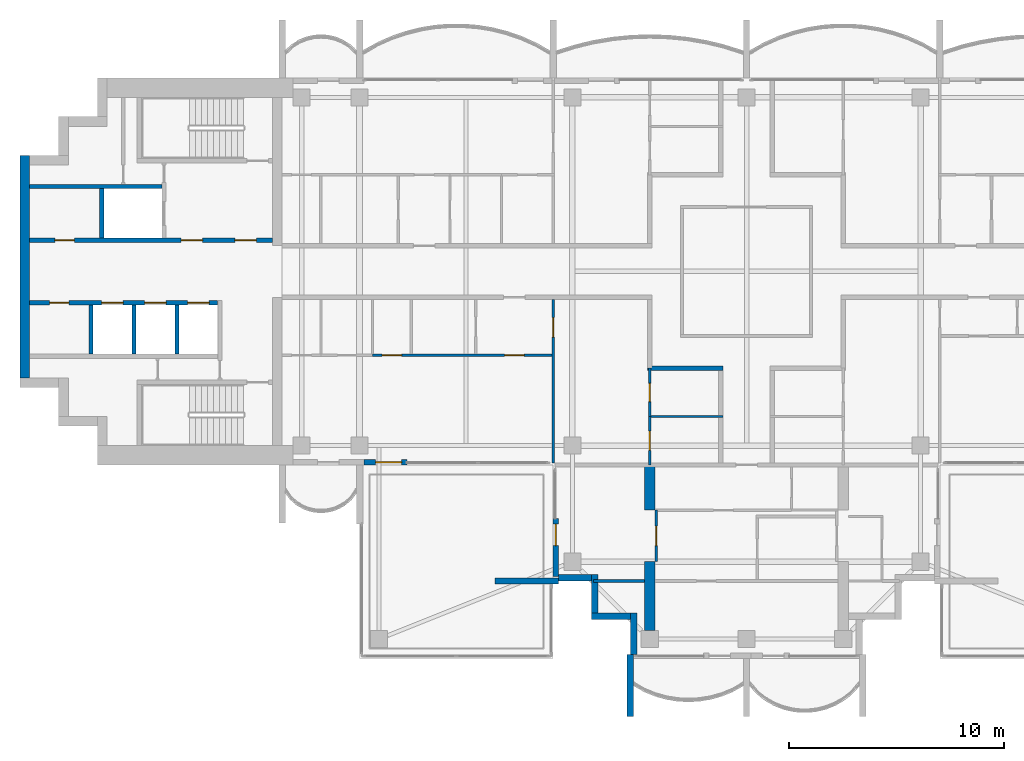
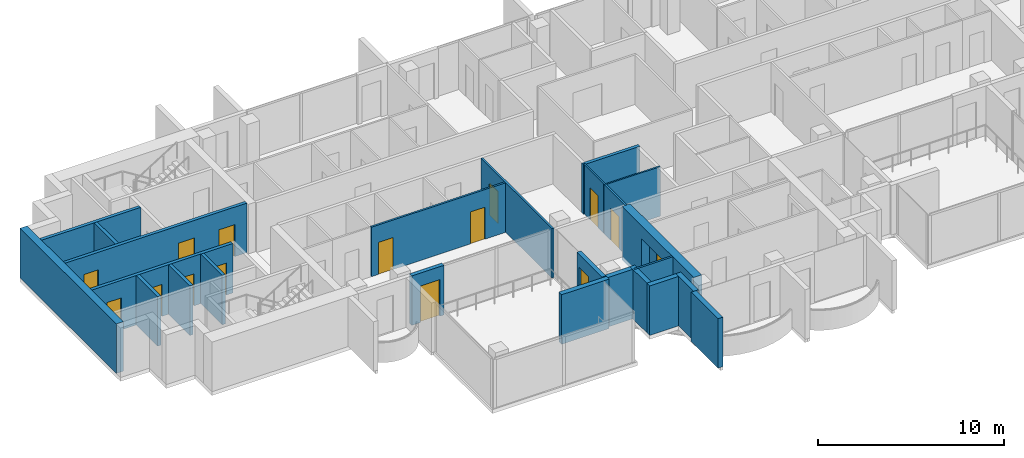
# One storey, part 7 of 16: 25 walls, 15 doors, 15 openings.
"""IFC4 building model written with IfcOpenShell, lengths in metres."""

import ifcopenshell
import ifcopenshell.guid

model = None  # the IFC model being written
_history = None  # IfcOwnerHistory: only IFC2X3 demands one
_inside = {}  # id of a spatial element -> (the spatial element, [elements in it])
_under = {}  # id of a project, library or spatial element -> (it, [spatial elements below it])
_declared = {}  # id of a project -> (the project, [libraries it declares])
_typed = {}  # id of a type object -> (the type object, [elements of that type])
_made_of = {}  # id of a material, layer set ... -> (it, [elements and type objects made of it])


def new_model(schema):
    """Start an empty IFC model of exactly this schema.

    Asked for "IFC4X3", IfcOpenShell would pick the latest addendum, in which some entities
    have other attributes; the version numbers below select the first issue.
    IFC2X3 requires an IfcOwnerHistory on every rooted entity: one is made here for all.
    """
    global model, _history
    if schema == "IFC4X3":
        model = ifcopenshell.file(schema_version=(4, 3, 0, 0))
    else:
        model = ifcopenshell.file(schema=schema)
    _inside.clear()
    _under.clear()
    _declared.clear()
    _typed.clear()
    _made_of.clear()
    _history = None
    if model.schema == "IFC2X3":
        org = make("IfcOrganization", Name="unknown")
        user = make(
            "IfcPersonAndOrganization",
            ThePerson=make("IfcPerson", FamilyName="unknown"),
            TheOrganization=org,
        )
        app = make(
            "IfcApplication",
            ApplicationDeveloper=org,
            Version="unknown",
            ApplicationFullName="unknown",
            ApplicationIdentifier="unknown",
        )
        _history = make(
            "IfcOwnerHistory",
            OwningUser=user,
            OwningApplication=app,
            ChangeAction="ADDED",
            CreationDate=0,
        )
    return model


def make(cls, **values):
    """One entity of the class cls with the attributes given. An attribute that is None is left unset."""
    return model.create_entity(
        cls, **{name: value for name, value in values.items() if value is not None}
    )


def rooted(cls, **values):
    """An entity with a GlobalId (a new one), such as an element, a storey or a relation."""
    return make(cls, GlobalId=ifcopenshell.guid.new(), OwnerHistory=_history, **values)


def si_unit(unit_type, name, prefix=None):
    """IfcSIUnit, for example si_unit("LENGTHUNIT", "METRE", prefix="MILLI")."""
    return make("IfcSIUnit", UnitType=unit_type, Prefix=prefix, Name=name)


def assignment(units):
    """IfcUnitAssignment: the units of a project."""
    return None if units is None else make("IfcUnitAssignment", Units=units)


def point(xyz):
    """IfcCartesianPoint."""
    return None if xyz is None else make("IfcCartesianPoint", Coordinates=xyz)


def direction(xyz):
    """IfcDirection."""
    return None if xyz is None else make("IfcDirection", DirectionRatios=xyz)


def frame(location, z_axis=None, x_axis=None):
    """IfcAxis2Placement3D, a coordinate frame: its origin and axes. An axis left out is left unset."""
    return make(
        "IfcAxis2Placement3D",
        Location=point(location),
        Axis=direction(z_axis),
        RefDirection=direction(x_axis),
    )


def frame_2d(location, x_axis=None):
    """IfcAxis2Placement2D, a coordinate frame in the plane: its origin and x axis."""
    return make(
        "IfcAxis2Placement2D", Location=point(location), RefDirection=direction(x_axis)
    )


def origin():
    """The frame at (0, 0, 0) with its axes left unset."""
    return frame((0.0, 0.0, 0.0))


def place(relative_to, where):
    """IfcLocalPlacement: puts the frame where relative to a parent placement (None: the world)."""
    return make(
        "IfcLocalPlacement", PlacementRelTo=relative_to, RelativePlacement=where
    )


def context(
    kind, dimensions, precision=None, world=None, true_north=None, identifier=None
):
    """IfcGeometricRepresentationContext, for example the 3D "Model" context."""
    return make(
        "IfcGeometricRepresentationContext",
        ContextIdentifier=identifier,
        ContextType=kind,
        CoordinateSpaceDimension=dimensions,
        Precision=precision,
        WorldCoordinateSystem=world,
        TrueNorth=true_north,
    )


def subcontext(parent, identifier, kind, view, scale=None):
    """IfcGeometricRepresentationSubContext, for example "Body" below "Model"."""
    return make(
        "IfcGeometricRepresentationSubContext",
        ContextIdentifier=identifier,
        ContextType=kind,
        ParentContext=parent,
        TargetScale=scale,
        TargetView=view,
    )


def project(units=None, contexts=None):
    """IfcProject with its units and contexts."""
    return rooted(
        "IfcProject",
        Name="project",
        RepresentationContexts=contexts,
        UnitsInContext=assignment(units),
    )


def spatial(cls, under=None, at=None, **own):
    """A site, building, storey or space (cls), placed at a placement, below another one or the project."""
    s = rooted(cls, ObjectPlacement=at, **own)
    if under is not None:
        _under.setdefault(under.id(), (under, []))[1].append(s)
    return s


def polyline(points):
    """IfcPolyline through the points."""
    return make("IfcPolyline", Points=[point(p) for p in points])


def profile(cls, at=None, kind="AREA", **sizes):
    """A parametric profile (cls). Its sizes go by their IFC names, for example OverallWidth=200.0."""
    return make(cls, ProfileType=kind, Position=at, **sizes)


def rectangle(**sizes):
    """IfcRectangleProfileDef."""
    return profile("IfcRectangleProfileDef", **sizes)


def outline(outer, holes=None, kind="AREA"):
    """IfcArbitraryClosedProfileDef: a profile drawn as a closed curve; with holes, ...WithVoids."""
    if holes is None:
        return make("IfcArbitraryClosedProfileDef", ProfileType=kind, OuterCurve=outer)
    return make(
        "IfcArbitraryProfileDefWithVoids",
        ProfileType=kind,
        OuterCurve=outer,
        InnerCurves=holes,
    )


def extrude(swept, where, along, depth):
    """IfcExtrudedAreaSolid: the profile swept, set in the frame where, extruded along a direction by depth."""
    return make(
        "IfcExtrudedAreaSolid",
        SweptArea=swept,
        Position=where,
        ExtrudedDirection=direction(along),
        Depth=depth,
    )


def shape(context_of_items, identifier, shape_type, items):
    """IfcShapeRepresentation: the items that make up one representation, for example the "Body"."""
    return make(
        "IfcShapeRepresentation",
        ContextOfItems=context_of_items,
        RepresentationIdentifier=identifier,
        RepresentationType=shape_type,
        Items=items,
    )


def material(Name=None, Category=None):
    """IfcMaterial."""
    return make("IfcMaterial", Name=Name, Category=Category)


def layer(
    of_material, thickness, ventilated=None, Name=None, Category=None, Priority=None
):
    """IfcMaterialLayer: one layer of a wall or slab, of a material (None: an air gap)."""
    return make(
        "IfcMaterialLayer",
        Material=of_material,
        LayerThickness=thickness,
        IsVentilated=ventilated,
        Name=Name,
        Category=Category,
        Priority=Priority,
    )


def layer_set(layers, Name=None):
    """IfcMaterialLayerSet."""
    return make("IfcMaterialLayerSet", MaterialLayers=layers, LayerSetName=Name)


def material_profile(
    of_material, cross_section, Name=None, Category=None, Priority=None
):
    """IfcMaterialProfile: a cross section and its material."""
    return make(
        "IfcMaterialProfile",
        Name=Name,
        Material=of_material,
        Profile=cross_section,
        Priority=Priority,
        Category=Category,
    )


def profile_set(profiles, Name=None, composite=None):
    """IfcMaterialProfileSet."""
    return make(
        "IfcMaterialProfileSet",
        Name=Name,
        MaterialProfiles=profiles,
        CompositeProfile=composite,
    )


def made_of(thing, what):
    """Note that an element or type object is made of a material, layer set ...; save() writes the relation."""
    if what is not None:
        _made_of.setdefault(what.id(), (what, []))[1].append(thing)
    return thing


def type_object(cls, material=None, **own):
    """A type object (cls), such as IfcWallType, which elements share."""
    return made_of(rooted(cls, **own), material)


def element(
    cls,
    number,
    at=None,
    inside=None,
    cuts=None,
    type_object=None,
    material=None,
    context=None,
    identifier="Body",
    shape_type=None,
    held_by="IfcProductDefinitionShape",
    body=None,
    shapes=None,
    **own,
):
    """One element of the class cls, such as IfcWall. Its Tag is "e" and its number.

    at: its placement. inside: the storey or other place that contains it. cuts: it is an
    opening in that element (IfcRelVoidsElement). A single representation is given by context,
    identifier, shape_type and body (its items); several are given by shapes. held_by: the class
    of the entity that holds the representations. save() writes the other relations.
    """
    e = rooted(cls, Tag="e%d" % number, ObjectPlacement=at, **own)
    if body is not None:
        shapes = [shape(context, identifier, shape_type, body)]
    if shapes is not None:
        e.Representation = make(held_by, Representations=shapes)
    if inside is not None:
        _inside.setdefault(inside.id(), (inside, []))[1].append(e)
    if cuts is not None:
        rooted(
            "IfcRelVoidsElement", RelatingBuildingElement=cuts, RelatedOpeningElement=e
        )
    if type_object is not None:
        _typed.setdefault(type_object.id(), (type_object, []))[1].append(e)
    return made_of(e, material)


def fill(opening, filler):
    """IfcRelFillsElement: the door or window that sits in an opening."""
    return rooted(
        "IfcRelFillsElement",
        RelatingOpeningElement=opening,
        RelatedBuildingElement=filler,
    )


def aggregate(whole, parts):
    """IfcRelAggregates: a whole, such as a stair, and the parts it consists of."""
    return rooted("IfcRelAggregates", RelatingObject=whole, RelatedObjects=parts)


def save(model, path):
    """Write the relations noted so far, then the file.

    IfcRelAggregates (storeys below a building ...), IfcRelContainedInSpatialStructure (elements
    in a storey), IfcRelDefinesByType, IfcRelAssociatesMaterial and IfcRelDeclares: one each for
    every whole, place, type object, material and project.
    """
    for whole, parts in _under.values():
        aggregate(whole, parts)
    for where, things in _inside.values():
        rooted(
            "IfcRelContainedInSpatialStructure",
            RelatedElements=things,
            RelatingStructure=where,
        )
    for kind, things in _typed.values():
        rooted("IfcRelDefinesByType", RelatedObjects=things, RelatingType=kind)
    for what, things in _made_of.values():
        rooted("IfcRelAssociatesMaterial", RelatedObjects=things, RelatingMaterial=what)
    for by, libraries in _declared.values():
        rooted("IfcRelDeclares", RelatingContext=by, RelatedDefinitions=libraries)
    model.write(path)


model = new_model("IFC4")

# Units and contexts
model_context = context("Model", 3, precision=1e-05, world=origin(), true_north=direction((0.0, 1.0)))
body_context = subcontext(model_context, "Body", "Model", "MODEL_VIEW")
ifc_project = project(units=[si_unit("LENGTHUNIT", "METRE"), si_unit("AREAUNIT", "SQUARE_METRE"), si_unit("VOLUMEUNIT", "CUBIC_METRE"), si_unit("PLANEANGLEUNIT", "RADIAN"), si_unit("MASSUNIT", "GRAM", prefix="KILO")], contexts=[model_context])

# Site, building, storey
site_placement = place(None, origin())
site = spatial("IfcSite", under=ifc_project, at=site_placement, CompositionType="ELEMENT")
building_placement = place(site_placement, origin())
building = spatial("IfcBuilding", under=site, at=building_placement, Name="Perihelion Cross Residences", CompositionType="ELEMENT")
storey_placement = place(building_placement, frame((0.0, 0.0, 236.0)))
storey = spatial("IfcBuildingStorey", under=building, at=storey_placement, Name="L59", CompositionType="ELEMENT", Elevation=236.0)

# Wall
ifc_material_1 = material(Name="Plasterboard partition")
ifc_layer_1 = layer(ifc_material_1, 0.199951171875)
ifc_layer_set_1 = layer_set([ifc_layer_1], Name="Apartment separation wall 200")
wall_type_1 = type_object("IfcWallType", Name="Apartment separation wall 200", PredefinedType="PARTITIONING", material=ifc_layer_set_1)
wall_1_placement = place(storey_placement, frame((-1.10009765625, -4.5, 0.0), z_axis=(0.0, 0.0, 1.0), x_axis=(-1.0, 0.0, 0.0)))
element("IfcWall", 1, at=wall_1_placement, inside=storey, type_object=wall_type_1, Name="Partition L59 W020", PredefinedType="PARTITIONING", context=body_context, shape_type="SweptSolid", body=[
    extrude(rectangle(XDim=3.5, YDim=0.199951171875, at=frame_2d((1.75, 0.0))), origin(), (0.0, 0.0, 1.0), 3.25),
])

# Wall, opening, door
ifc_material_2 = material(Name="Concrete C30/37, bronze-clad", Category="concrete")
ifc_layer_2 = layer(ifc_material_2, 0.25)
ifc_layer_set_2 = layer_set([ifc_layer_2], Name="Bronze-clad pier wall 250")
wall_type_2 = type_object("IfcWallType", Name="Bronze-clad pier wall 250", PredefinedType="SOLIDWALL", material=ifc_layer_set_2)
wall_2_placement = place(storey_placement, frame((-17.800048828125, -8.875, 0.0), z_axis=(0.0, 0.0, 1.0), x_axis=(1.0, 0.0, 0.0)))
wall_2 = element("IfcWall", 2, at=wall_2_placement, inside=storey, type_object=wall_type_2, Name="Wall FW1 L59 west side south bay 2 pier", PredefinedType="SOLIDWALL", context=body_context, shape_type="SweptSolid", body=[
    extrude(rectangle(XDim=2.0, YDim=0.25, at=frame_2d((1.0, 0.0))), origin(), (0.0, 0.0, 1.0), 3.25),
])
opening_1_placement = place(wall_2_placement, frame((0.550048828125, 0.0, 0.0)))
opening_1 = element("IfcOpeningElement", 3, at=opening_1_placement, cuts=wall_2, Name="Opening L59.E08", PredefinedType="OPENING", context=body_context, shape_type="SweptSolid", body=[
    extrude(rectangle(XDim=1.199951171875, YDim=2.39990234375, at=frame_2d((0.60009765625, 1.199951171875))), frame((0.0, 0.135009765625, 0.0), z_axis=(0.0, -1.0, 0.0), x_axis=(1.0, 0.0, 0.0)), (0.0, 0.0, 1.0), 0.27001953125),
])
ifc_material_3 = material(Name="Bronze anodised aluminium, glazed", Category="aluminium")
door_type_1 = type_object("IfcDoorType", Name="Balcony door 1200 x 2400", OperationType="NOTDEFINED", PredefinedType="DOOR", material=ifc_material_3)
door_1_placement = place(opening_1_placement, origin())
door_1 = element("IfcDoor", 4, at=door_1_placement, inside=storey, type_object=door_type_1, Name="Door L59.E08 west side south bay 2", OperationType="SINGLE_SWING_RIGHT", OverallHeight=2.39990234375, OverallWidth=1.199951171875, PredefinedType="DOOR", context=body_context, shape_type="SweptSolid", body=[
    extrude(rectangle(XDim=1.199951171875, YDim=2.39990234375, at=frame_2d((0.60009765625, 1.199951171875))), frame((0.0, 0.02490234375, 0.0), z_axis=(0.0, -1.0, 0.0), x_axis=(1.0, 0.0, 0.0)), (0.0, 0.0, 1.0), 0.050048828125),
])
fill(opening_1, door_1)

wall_3_placement = place(storey_placement, frame((-8.875, -11.5, 0.0), z_axis=(0.0, 0.0, 1.0), x_axis=(0.0, -1.0, 0.0)))
wall_3 = element("IfcWall", 5, at=wall_3_placement, inside=storey, type_object=wall_type_2, Name="Wall FW1 L59 south side west bay 1 pier", PredefinedType="SOLIDWALL", context=body_context, shape_type="SweptSolid", body=[
    extrude(rectangle(XDim=2.699951171875, YDim=0.25, at=frame_2d((1.35009765625, 0.0))), origin(), (0.0, 0.0, 1.0), 3.25),
])
opening_2_placement = place(wall_3_placement, frame((0.25, 0.0, 0.0)))
opening_2 = element("IfcOpeningElement", 6, at=opening_2_placement, cuts=wall_3, Name="Opening L59.E09", PredefinedType="OPENING", context=body_context, shape_type="SweptSolid", body=[
    extrude(rectangle(XDim=1.0, YDim=2.39990234375, at=frame_2d((0.5, 1.199951171875))), frame((0.0, 0.135009765625, 0.0), z_axis=(0.0, -1.0, 0.0), x_axis=(1.0, 0.0, 0.0)), (0.0, 0.0, 1.0), 0.27001953125),
])
ifc_material_4 = material(Name="Bronze anodised aluminium, glazed", Category="aluminium")
door_type_2 = type_object("IfcDoorType", Name="Balcony door 1000 x 2400", OperationType="NOTDEFINED", PredefinedType="DOOR", material=ifc_material_4)
door_2_placement = place(opening_2_placement, origin())
door_2 = element("IfcDoor", 7, at=door_2_placement, inside=storey, type_object=door_type_2, Name="Door L59.E09 south side west bay 1", OperationType="SINGLE_SWING_LEFT", OverallHeight=2.39990234375, OverallWidth=1.0, PredefinedType="DOOR", context=body_context, shape_type="SweptSolid", body=[
    extrude(rectangle(XDim=1.0, YDim=2.39990234375, at=frame_2d((0.5, 1.199951171875))), frame((0.0, 0.02490234375, 0.0), z_axis=(0.0, -1.0, 0.0), x_axis=(1.0, 0.0, 0.0)), (0.0, 0.0, 1.0), 0.050048828125),
])
fill(opening_2, door_2)

# Walls
ifc_material_5 = material(Name="Concrete C30/37, bronze-clad", Category="concrete")
ifc_layer_3 = layer(ifc_material_5, 0.300048828125)
ifc_layer_set_3 = layer_set([ifc_layer_3], Name="Bronze-clad serration wall 300")
wall_type_3 = type_object("IfcWallType", Name="Bronze-clad serration wall 300", PredefinedType="SOLIDWALL", material=ifc_layer_set_3)
wall_4_placement = place(storey_placement, frame((-8.75, -14.25, 0.0), z_axis=(0.0, 0.0, 1.0), x_axis=(1.0, 0.0, 0.0)))
element("IfcWall", 8, at=wall_4_placement, inside=storey, type_object=wall_type_3, Name="Wall SR1 L59 south corner south-west 1", PredefinedType="SOLIDWALL", context=body_context, shape_type="SweptSolid", body=[
    extrude(rectangle(XDim=1.550048828125, YDim=0.300048828125, at=frame_2d((0.77490234375, 0.0))), origin(), (0.0, 0.0, 1.0), 3.25),
])
wall_5_placement = place(storey_placement, frame((-7.050048828125, -14.10009765625, 0.0), z_axis=(0.0, 0.0, 1.0), x_axis=(0.0, -1.0, 0.0)))
element("IfcWall", 9, at=wall_5_placement, inside=storey, type_object=wall_type_3, Name="Wall SR1 L59 south corner south-west 2", PredefinedType="SOLIDWALL", context=body_context, shape_type="SweptSolid", body=[
    extrude(rectangle(XDim=1.7998046875, YDim=0.300048828125, at=frame_2d((0.89990234375, 0.0))), origin(), (0.0, 0.0, 1.0), 3.25),
])
wall_6_placement = place(storey_placement, frame((-7.199951171875, -16.050048828125, 0.0), z_axis=(0.0, 0.0, 1.0), x_axis=(1.0, 0.0, 0.0)))
element("IfcWall", 10, at=wall_6_placement, inside=storey, type_object=wall_type_3, Name="Wall SR1 L59 south corner south-west 3", PredefinedType="SOLIDWALL", context=body_context, shape_type="SweptSolid", body=[
    extrude(rectangle(XDim=1.800048828125, YDim=0.300048828125, at=frame_2d((0.89990234375, 0.0))), origin(), (0.0, 0.0, 1.0), 3.25),
])
wall_7_placement = place(storey_placement, frame((-5.25, -15.89990234375, 0.0), z_axis=(0.0, 0.0, 1.0), x_axis=(0.0, -1.0, 0.0)))
element("IfcWall", 11, at=wall_7_placement, inside=storey, type_object=wall_type_3, Name="Wall SR1 L59 south corner south-west 4", PredefinedType="SOLIDWALL", context=body_context, shape_type="SweptSolid", body=[
    extrude(rectangle(XDim=1.920166015625, YDim=0.300048828125, at=frame_2d((0.9599609375, 0.0))), origin(), (0.0, 0.0, 1.0), 3.25),
])
ifc_material_6 = material(Name="Concrete C60/75", Category="concrete")
ifc_layer_4 = layer(ifc_material_6, 0.449951171875)
ifc_layer_set_4 = layer_set([ifc_layer_4], Name="Core wall, outer 450")
wall_type_4 = type_object("IfcWallType", Name="Core wall, outer 450", PredefinedType="SHEAR", material=ifc_layer_set_4)
wall_8_placement = place(storey_placement, frame((-33.574951171875, -4.949951171875, 0.0), z_axis=(0.0, 0.0, 1.0), x_axis=(0.0, 1.0, 0.0)))
element("IfcWall", 12, at=wall_8_placement, inside=storey, type_object=wall_type_4, Name="West core core wall, outer", PredefinedType="SHEAR", context=body_context, shape_type="SweptSolid", body=[
    extrude(rectangle(XDim=10.349853515625, YDim=0.449951171875, at=frame_2d((5.1748046875, 0.0))), origin(), (0.0, 0.0, 1.0), 3.25),
])

# Wall, opening, door
ifc_material_7 = material(Name="Plasterboard partition")
ifc_layer_5 = layer(ifc_material_7, 0.1201171875)
ifc_layer_set_5 = layer_set([ifc_layer_5], Name="Infill panel 120")
wall_type_5 = type_object("IfcWallType", Name="Infill panel 120", PredefinedType="PARTITIONING", material=ifc_layer_set_5)
wall_9_placement = place(storey_placement, frame((-4.18994140625, -11.10009765625, 0.0), z_axis=(0.0, 0.0, 1.0), x_axis=(0.0, -1.0, 0.0)))
wall_9 = element("IfcWall", 13, at=wall_9_placement, inside=storey, type_object=wall_type_5, Name="Partition L59 WI02", PredefinedType="PARTITIONING", context=body_context, shape_type="SweptSolid", body=[
    extrude(rectangle(XDim=2.39990234375, YDim=0.1201171875, at=frame_2d((1.199951171875, 0.0))), origin(), (0.0, 0.0, 1.0), 2.39990234375),
])
opening_3_placement = place(wall_9_placement, frame((0.75, 0.0, 0.0)))
opening_3 = element("IfcOpeningElement", 14, at=opening_3_placement, cuts=wall_9, Name="Opening L59.A44", PredefinedType="OPENING", context=body_context, shape_type="SweptSolid", body=[
    extrude(rectangle(XDim=0.89990234375, YDim=2.10009765625, at=frame_2d((0.449951171875, 1.050048828125))), frame((0.0, 0.070068359375, 0.0), z_axis=(0.0, -1.0, 0.0), x_axis=(1.0, 0.0, 0.0)), (0.0, 0.0, 1.0), 0.14013671875),
])
ifc_material_8 = material(Name="Timber door leaf", Category="wood")
door_type_3 = type_object("IfcDoorType", Name="Interior room door 900 x 2100", OperationType="SINGLE_SWING_LEFT", PredefinedType="DOOR", material=ifc_material_8)
door_3_placement = place(opening_3_placement, origin())
door_3 = element("IfcDoor", 15, at=door_3_placement, inside=storey, type_object=door_type_3, Name="Door L59.A44", OperationType="SINGLE_SWING_RIGHT", OverallHeight=2.10009765625, OverallWidth=0.89990234375, PredefinedType="DOOR", context=body_context, shape_type="SweptSolid", body=[
    extrude(rectangle(XDim=0.89990234375, YDim=2.10009765625, at=frame_2d((0.449951171875, 1.050048828125))), frame((0.0, 0.02490234375, 0.0), z_axis=(0.0, -1.0, 0.0), x_axis=(1.0, 0.0, 0.0)), (0.0, 0.0, 1.0), 0.050048828125),
])
fill(opening_3, door_3)

# Wall, openings, doors
ifc_material_9 = material(Name="Plasterboard partition")
ifc_layer_6 = layer(ifc_material_9, 0.1201171875)
ifc_layer_set_6 = layer_set([ifc_layer_6], Name="Partition wall 120")
wall_type_6 = type_object("IfcWallType", Name="Partition wall 120", PredefinedType="PARTITIONING", material=ifc_layer_set_6)
wall_10_placement = place(storey_placement, frame((-8.93994140625, -3.89990234375, 0.0), z_axis=(0.0, 0.0, 1.0), x_axis=(-1.0, 0.0, 0.0)))
wall_10 = element("IfcWall", 16, at=wall_10_placement, inside=storey, type_object=wall_type_6, Name="Partition L59 W055", PredefinedType="PARTITIONING", context=body_context, shape_type="SweptSolid", body=[
    extrude(rectangle(XDim=8.4599609375, YDim=0.1201171875, at=frame_2d((4.22998046875, 0.0))), origin(), (0.0, 0.0, 1.0), 3.25),
])
opening_4_placement = place(wall_10_placement, frame((7.110107421875, 0.0, 0.0)))
opening_4 = element("IfcOpeningElement", 17, at=opening_4_placement, cuts=wall_10, Name="Opening L59.A28", PredefinedType="OPENING", context=body_context, shape_type="SweptSolid", body=[
    extrude(rectangle(XDim=0.89990234375, YDim=2.10009765625, at=frame_2d((0.449951171875, 1.050048828125))), frame((0.0, 0.070068359375, 0.0), z_axis=(0.0, -1.0, 0.0), x_axis=(1.0, 0.0, 0.0)), (0.0, 0.0, 1.0), 0.14013671875),
])
opening_5_placement = place(wall_10_placement, frame((1.409912109375, 0.0, 0.0)))
opening_5 = element("IfcOpeningElement", 18, at=opening_5_placement, cuts=wall_10, Name="Opening L59.A32", PredefinedType="OPENING", context=body_context, shape_type="SweptSolid", body=[
    extrude(rectangle(XDim=0.89990234375, YDim=2.10009765625, at=frame_2d((0.449951171875, 1.050048828125))), frame((0.0, 0.070068359375, 0.0), z_axis=(0.0, -1.0, 0.0), x_axis=(1.0, 0.0, 0.0)), (0.0, 0.0, 1.0), 0.14013671875),
])
door_4_placement = place(opening_4_placement, origin())
door_4 = element("IfcDoor", 19, at=door_4_placement, inside=storey, type_object=door_type_3, Name="Door L59.A28", OperationType="SINGLE_SWING_LEFT", OverallHeight=2.10009765625, OverallWidth=0.89990234375, PredefinedType="DOOR", context=body_context, shape_type="SweptSolid", body=[
    extrude(rectangle(XDim=0.89990234375, YDim=2.10009765625, at=frame_2d((0.449951171875, 1.050048828125))), frame((0.0, 0.02490234375, 0.0), z_axis=(0.0, -1.0, 0.0), x_axis=(1.0, 0.0, 0.0)), (0.0, 0.0, 1.0), 0.050048828125),
])
fill(opening_4, door_4)
door_5_placement = place(opening_5_placement, origin())
door_5 = element("IfcDoor", 20, at=door_5_placement, inside=storey, type_object=door_type_3, Name="Door L59.A32", OperationType="SINGLE_SWING_LEFT", OverallHeight=2.10009765625, OverallWidth=0.89990234375, PredefinedType="DOOR", context=body_context, shape_type="SweptSolid", body=[
    extrude(rectangle(XDim=0.89990234375, YDim=2.10009765625, at=frame_2d((0.449951171875, 1.050048828125))), frame((0.0, 0.02490234375, 0.0), z_axis=(0.0, -1.0, 0.0), x_axis=(1.0, 0.0, 0.0)), (0.0, 0.0, 1.0), 0.050048828125),
])
fill(opening_5, door_5)

# Wall, opening, door
wall_11_placement = place(storey_placement, frame((-9.0, -1.300048828125, 0.0), z_axis=(0.0, 0.0, 1.0), x_axis=(0.0, -1.0, 0.0)))
wall_11 = element("IfcWall", 21, at=wall_11_placement, inside=storey, type_object=wall_type_6, Name="Partition L59 W056", PredefinedType="PARTITIONING", context=body_context, shape_type="SweptSolid", body=[
    extrude(rectangle(XDim=7.619873046875, YDim=0.1201171875, at=frame_2d((3.81005859375, 0.0))), origin(), (0.0, 0.0, 1.0), 3.25),
])
opening_6_placement = place(wall_11_placement, frame((0.85009765625, 0.0, 0.0)))
opening_6 = element("IfcOpeningElement", 22, at=opening_6_placement, cuts=wall_11, Name="Opening L59.A30", PredefinedType="OPENING", context=body_context, shape_type="SweptSolid", body=[
    extrude(rectangle(XDim=0.89990234375, YDim=2.10009765625, at=frame_2d((0.449951171875, 1.050048828125))), frame((0.0, 0.070068359375, 0.0), z_axis=(0.0, -1.0, 0.0), x_axis=(1.0, 0.0, 0.0)), (0.0, 0.0, 1.0), 0.14013671875),
])
door_6_placement = place(opening_6_placement, origin())
door_6 = element("IfcDoor", 23, at=door_6_placement, inside=storey, type_object=door_type_3, Name="Door L59.A30", OperationType="SINGLE_SWING_RIGHT", OverallHeight=2.10009765625, OverallWidth=0.89990234375, PredefinedType="DOOR", context=body_context, shape_type="SweptSolid", body=[
    extrude(rectangle(XDim=0.89990234375, YDim=2.10009765625, at=frame_2d((0.449951171875, 1.050048828125))), frame((0.0, 0.02490234375, 0.0), z_axis=(0.0, -1.0, 0.0), x_axis=(1.0, 0.0, 0.0)), (0.0, 0.0, 1.0), 0.050048828125),
])
fill(opening_6, door_6)

wall_12_placement = place(storey_placement, frame((-4.5, -6.75, 0.0), z_axis=(0.0, 0.0, 1.0), x_axis=(0.0, -1.0, 0.0)))
wall_12 = element("IfcWall", 24, at=wall_12_placement, inside=storey, type_object=wall_type_6, Name="Partition L59 W063", PredefinedType="PARTITIONING", context=body_context, shape_type="SweptSolid", body=[
    extrude(rectangle(XDim=2.25, YDim=0.1201171875, at=frame_2d((1.125, 0.0))), origin(), (0.0, 0.0, 1.0), 3.25),
])
opening_7_placement = place(wall_12_placement, frame((0.675048828125, 0.0, 0.0)))
opening_7 = element("IfcOpeningElement", 25, at=opening_7_placement, cuts=wall_12, Name="Opening L59.A29", PredefinedType="OPENING", context=body_context, shape_type="SweptSolid", body=[
    extrude(rectangle(XDim=0.89990234375, YDim=2.10009765625, at=frame_2d((0.449951171875, 1.050048828125))), frame((0.0, 0.070068359375, 0.0), z_axis=(0.0, -1.0, 0.0), x_axis=(1.0, 0.0, 0.0)), (0.0, 0.0, 1.0), 0.14013671875),
])
door_7_placement = place(opening_7_placement, origin())
door_7 = element("IfcDoor", 26, at=door_7_placement, inside=storey, type_object=door_type_3, Name="Door L59.A29", OperationType="SINGLE_SWING_LEFT", OverallHeight=2.10009765625, OverallWidth=0.89990234375, PredefinedType="DOOR", context=body_context, shape_type="SweptSolid", body=[
    extrude(rectangle(XDim=0.89990234375, YDim=2.10009765625, at=frame_2d((0.449951171875, 1.050048828125))), frame((0.0, 0.02490234375, 0.0), z_axis=(0.0, -1.0, 0.0), x_axis=(1.0, 0.0, 0.0)), (0.0, 0.0, 1.0), 0.050048828125),
])
fill(opening_7, door_7)

# Walls
wall_13_placement = place(storey_placement, frame((-4.75, -14.39990234375, 0.0), z_axis=(0.0, 0.0, 1.0), x_axis=(-1.0, 0.0, 0.0)))
element("IfcWall", 27, at=wall_13_placement, inside=storey, type_object=wall_type_6, Name="Partition L59 W075", PredefinedType="PARTITIONING", context=body_context, shape_type="SweptSolid", body=[
    extrude(rectangle(XDim=2.3701171875, YDim=0.1201171875, at=frame_2d((1.18505859375, 0.0))), origin(), (0.0, 0.0, 1.0), 3.25),
])
ifc_material_10 = material(Name="Precast concrete C50/60", Category="concrete")
ifc_layer_7 = layer(ifc_material_10, 0.300048828125)
ifc_layer_set_7 = layer_set([ifc_layer_7], Name="Precast concrete C50/60 blade wall 300")
wall_type_7 = type_object("IfcWallType", Name="Precast concrete C50/60 blade wall 300", PredefinedType="SOLIDWALL", material=ifc_layer_set_7)
wall_14_placement = place(storey_placement, frame((-8.75, -14.39990234375, 0.0), z_axis=(0.0, 0.0, 1.0), x_axis=(-1.0, 0.0, 0.0)))
element("IfcWall", 28, at=wall_14_placement, inside=storey, type_object=wall_type_7, Name="Wall BL1 L59 no. 6", PredefinedType="SOLIDWALL", context=body_context, shape_type="SweptSolid", body=[
    extrude(rectangle(XDim=2.949951171875, YDim=0.300048828125, at=frame_2d((1.47509765625, 0.0))), origin(), (0.0, 0.0, 1.0), 3.25),
])
wall_15_placement = place(storey_placement, frame((-5.39990234375, -17.820068359375, 0.0), z_axis=(0.0, 0.0, 1.0), x_axis=(0.0, -1.0, 0.0)))
element("IfcWall", 29, at=wall_15_placement, inside=storey, type_object=wall_type_7, Name="Wall BL1 L59 no. 5", PredefinedType="SOLIDWALL", context=body_context, shape_type="SweptSolid", body=[
    extrude(rectangle(XDim=2.8798828125, YDim=0.300048828125, at=frame_2d((1.43994140625, 0.0))), origin(), (0.0, 0.0, 1.0), 3.25),
])

# Wall, openings, doors
ifc_material_11 = material(Name="Concrete C50/60", Category="concrete")
ifc_layer_8 = layer(ifc_material_11, 0.199951171875)
ifc_layer_set_8 = layer_set([ifc_layer_8], Name="Shaft wall 200")
wall_type_8 = type_object("IfcWallType", Name="Shaft wall 200", PredefinedType="SOLIDWALL", material=ifc_layer_set_8)
wall_16_placement = place(storey_placement, frame((-33.35009765625, 1.449951171875, 0.0), z_axis=(0.0, 0.0, 1.0), x_axis=(1.0, 0.0, 0.0)))
wall_16 = element("IfcWall", 30, at=wall_16_placement, inside=storey, type_object=wall_type_8, Name="West core shaft wall", PredefinedType="SOLIDWALL", context=body_context, shape_type="SweptSolid", body=[
    extrude(rectangle(XDim=11.300048828125, YDim=0.199951171875, at=frame_2d((5.64990234375, 0.0))), origin(), (0.0, 0.0, 1.0), 3.25),
])
opening_8_placement = place(wall_16_placement, frame((9.550048828125, 0.0, 0.0)))
opening_8 = element("IfcOpeningElement", 31, at=opening_8_placement, cuts=wall_16, Name="Opening L59.C21", PredefinedType="OPENING", context=body_context, shape_type="SweptSolid", body=[
    extrude(rectangle(XDim=1.0, YDim=2.10009765625, at=frame_2d((0.5, 1.050048828125))), frame((0.0, 0.10986328125, 0.0), z_axis=(0.0, -1.0, 0.0), x_axis=(1.0, 0.0, 0.0)), (0.0, 0.0, 1.0), 0.219970703125),
])
opening_9_placement = place(wall_16_placement, frame((7.050048828125, 0.0, 0.0)))
opening_9 = element("IfcOpeningElement", 32, at=opening_9_placement, cuts=wall_16, Name="Opening L59.C23", PredefinedType="OPENING", context=body_context, shape_type="SweptSolid", body=[
    extrude(rectangle(XDim=1.0, YDim=2.10009765625, at=frame_2d((0.5, 1.050048828125))), frame((0.0, 0.10986328125, 0.0), z_axis=(0.0, -1.0, 0.0), x_axis=(1.0, 0.0, 0.0)), (0.0, 0.0, 1.0), 0.219970703125),
])
opening_10_placement = place(wall_16_placement, frame((1.175048828125, 0.0, 0.0)))
opening_10 = element("IfcOpeningElement", 33, at=opening_10_placement, cuts=wall_16, Name="Opening L59.C27", PredefinedType="OPENING", context=body_context, shape_type="SweptSolid", body=[
    extrude(rectangle(XDim=0.89990234375, YDim=2.10009765625, at=frame_2d((0.449951171875, 1.050048828125))), frame((0.0, 0.10986328125, 0.0), z_axis=(0.0, -1.0, 0.0), x_axis=(1.0, 0.0, 0.0)), (0.0, 0.0, 1.0), 0.219970703125),
])
ifc_material_12 = material(Name="Steel, powder coated", Category="steel")
door_type_4 = type_object("IfcDoorType", Name="Lobby door 1000", OperationType="SINGLE_SWING_LEFT", PredefinedType="DOOR", material=ifc_material_12)
door_8_placement = place(opening_8_placement, origin())
door_8 = element("IfcDoor", 34, at=door_8_placement, inside=storey, type_object=door_type_4, Name="West core firefighting lobby door", OperationType="SINGLE_SWING_LEFT", OverallHeight=2.10009765625, OverallWidth=1.0, PredefinedType="DOOR", context=body_context, shape_type="SweptSolid", body=[
    extrude(rectangle(XDim=1.0, YDim=2.10009765625, at=frame_2d((0.5, 1.050048828125))), frame((0.0, 0.02490234375, 0.0), z_axis=(0.0, -1.0, 0.0), x_axis=(1.0, 0.0, 0.0)), (0.0, 0.0, 1.0), 0.050048828125),
])
fill(opening_8, door_8)
door_9_placement = place(opening_9_placement, origin())
door_9 = element("IfcDoor", 35, at=door_9_placement, inside=storey, type_object=door_type_4, Name="West core firefighting lobby door", OperationType="SINGLE_SWING_LEFT", OverallHeight=2.10009765625, OverallWidth=1.0, PredefinedType="DOOR", context=body_context, shape_type="SweptSolid", body=[
    extrude(rectangle(XDim=1.0, YDim=2.10009765625, at=frame_2d((0.5, 1.050048828125))), frame((0.0, 0.02490234375, 0.0), z_axis=(0.0, -1.0, 0.0), x_axis=(1.0, 0.0, 0.0)), (0.0, 0.0, 1.0), 0.050048828125),
])
fill(opening_9, door_9)
ifc_material_13 = material(Name="Steel, powder coated", Category="steel")
door_type_5 = type_object("IfcDoorType", Name="Service room door 900", OperationType="SINGLE_SWING_LEFT", PredefinedType="DOOR", material=ifc_material_13)
door_10_placement = place(opening_10_placement, origin())
door_10 = element("IfcDoor", 36, at=door_10_placement, inside=storey, type_object=door_type_5, Name="West core service room door", OperationType="SINGLE_SWING_LEFT", OverallHeight=2.10009765625, OverallWidth=0.89990234375, PredefinedType="DOOR", context=body_context, shape_type="SweptSolid", body=[
    extrude(rectangle(XDim=0.89990234375, YDim=2.10009765625, at=frame_2d((0.449951171875, 1.050048828125))), frame((0.0, 0.02490234375, 0.0), z_axis=(0.0, -1.0, 0.0), x_axis=(1.0, 0.0, 0.0)), (0.0, 0.0, 1.0), 0.050048828125),
])
fill(opening_10, door_10)

wall_17_placement = place(storey_placement, frame((-33.35009765625, -1.449951171875, 0.0), z_axis=(0.0, 0.0, 1.0), x_axis=(1.0, 0.0, 0.0)))
wall_17 = element("IfcWall", 37, at=wall_17_placement, inside=storey, type_object=wall_type_8, Name="West core shaft wall", PredefinedType="SOLIDWALL", context=body_context, shape_type="SweptSolid", body=[
    extrude(rectangle(XDim=8.75, YDim=0.199951171875, at=frame_2d((4.375, 0.0))), origin(), (0.0, 0.0, 1.0), 3.25),
])
opening_11_placement = place(wall_17_placement, frame((7.35009765625, 0.0, 0.0)))
opening_11 = element("IfcOpeningElement", 38, at=opening_11_placement, cuts=wall_17, Name="Opening L59.C15", PredefinedType="OPENING", context=body_context, shape_type="SweptSolid", body=[
    extrude(rectangle(XDim=1.0, YDim=2.10009765625, at=frame_2d((0.5, 1.050048828125))), frame((0.0, 0.10986328125, 0.0), z_axis=(0.0, -1.0, 0.0), x_axis=(1.0, 0.0, 0.0)), (0.0, 0.0, 1.0), 0.219970703125),
])
opening_12_placement = place(wall_17_placement, frame((5.35009765625, 0.0, 0.0)))
opening_12 = element("IfcOpeningElement", 39, at=opening_12_placement, cuts=wall_17, Name="Opening L59.C17", PredefinedType="OPENING", context=body_context, shape_type="SweptSolid", body=[
    extrude(rectangle(XDim=1.0, YDim=2.10009765625, at=frame_2d((0.5, 1.050048828125))), frame((0.0, 0.10986328125, 0.0), z_axis=(0.0, -1.0, 0.0), x_axis=(1.0, 0.0, 0.0)), (0.0, 0.0, 1.0), 0.219970703125),
])
opening_13_placement = place(wall_17_placement, frame((3.35009765625, 0.0, 0.0)))
opening_13 = element("IfcOpeningElement", 40, at=opening_13_placement, cuts=wall_17, Name="Opening L59.C18", PredefinedType="OPENING", context=body_context, shape_type="SweptSolid", body=[
    extrude(rectangle(XDim=1.0, YDim=2.10009765625, at=frame_2d((0.5, 1.050048828125))), frame((0.0, 0.10986328125, 0.0), z_axis=(0.0, -1.0, 0.0), x_axis=(1.0, 0.0, 0.0)), (0.0, 0.0, 1.0), 0.219970703125),
])
opening_14_placement = place(wall_17_placement, frame((0.925048828125, 0.0, 0.0)))
opening_14 = element("IfcOpeningElement", 41, at=opening_14_placement, cuts=wall_17, Name="Opening L59.C28", PredefinedType="OPENING", context=body_context, shape_type="SweptSolid", body=[
    extrude(rectangle(XDim=0.89990234375, YDim=2.10009765625, at=frame_2d((0.449951171875, 1.050048828125))), frame((0.0, 0.10986328125, 0.0), z_axis=(0.0, -1.0, 0.0), x_axis=(1.0, 0.0, 0.0)), (0.0, 0.0, 1.0), 0.219970703125),
])
ifc_material_14 = material(Name="Stainless steel", Category="steel")
door_type_6 = type_object("IfcDoorType", Name="Landing door 1000", OperationType="DOUBLE_DOOR_SLIDING", PredefinedType="DOOR", material=ifc_material_14)
door_11_placement = place(opening_11_placement, origin())
door_11 = element("IfcDoor", 42, at=door_11_placement, inside=storey, type_object=door_type_6, Name="Landing door, West core high-rise lift 1", OperationType="DOUBLE_DOOR_SLIDING", OverallHeight=2.10009765625, OverallWidth=1.0, PredefinedType="DOOR", context=body_context, shape_type="SweptSolid", body=[
    extrude(rectangle(XDim=1.0, YDim=2.10009765625, at=frame_2d((0.5, 1.050048828125))), frame((0.0, 0.02490234375, 0.0), z_axis=(0.0, -1.0, 0.0), x_axis=(1.0, 0.0, 0.0)), (0.0, 0.0, 1.0), 0.050048828125),
])
fill(opening_11, door_11)
door_12_placement = place(opening_12_placement, origin())
door_12 = element("IfcDoor", 43, at=door_12_placement, inside=storey, type_object=door_type_6, Name="Landing door, West core high-rise lift 2", OperationType="DOUBLE_DOOR_SLIDING", OverallHeight=2.10009765625, OverallWidth=1.0, PredefinedType="DOOR", context=body_context, shape_type="SweptSolid", body=[
    extrude(rectangle(XDim=1.0, YDim=2.10009765625, at=frame_2d((0.5, 1.050048828125))), frame((0.0, 0.02490234375, 0.0), z_axis=(0.0, -1.0, 0.0), x_axis=(1.0, 0.0, 0.0)), (0.0, 0.0, 1.0), 0.050048828125),
])
fill(opening_12, door_12)
door_13_placement = place(opening_13_placement, origin())
door_13 = element("IfcDoor", 44, at=door_13_placement, inside=storey, type_object=door_type_6, Name="Landing door, West core high-rise lift 3", OperationType="DOUBLE_DOOR_SLIDING", OverallHeight=2.10009765625, OverallWidth=1.0, PredefinedType="DOOR", context=body_context, shape_type="SweptSolid", body=[
    extrude(rectangle(XDim=1.0, YDim=2.10009765625, at=frame_2d((0.5, 1.050048828125))), frame((0.0, 0.02490234375, 0.0), z_axis=(0.0, -1.0, 0.0), x_axis=(1.0, 0.0, 0.0)), (0.0, 0.0, 1.0), 0.050048828125),
])
fill(opening_13, door_13)
door_14_placement = place(opening_14_placement, origin())
door_14 = element("IfcDoor", 45, at=door_14_placement, inside=storey, type_object=door_type_5, Name="West core service room door", OperationType="SINGLE_SWING_LEFT", OverallHeight=2.10009765625, OverallWidth=0.89990234375, PredefinedType="DOOR", context=body_context, shape_type="SweptSolid", body=[
    extrude(rectangle(XDim=0.89990234375, YDim=2.10009765625, at=frame_2d((0.449951171875, 1.050048828125))), frame((0.0, 0.02490234375, 0.0), z_axis=(0.0, -1.0, 0.0), x_axis=(1.0, 0.0, 0.0)), (0.0, 0.0, 1.0), 0.050048828125),
])
fill(opening_14, door_14)

# Walls
wall_18_placement = place(storey_placement, frame((-33.35009765625, 3.949951171875, 0.0), z_axis=(0.0, 0.0, 1.0), x_axis=(1.0, 0.0, 0.0)))
element("IfcWall", 46, at=wall_18_placement, inside=storey, type_object=wall_type_8, Name="West core shaft wall", PredefinedType="SOLIDWALL", context=body_context, shape_type="SweptSolid", body=[
    extrude(rectangle(XDim=6.150146484375, YDim=0.199951171875, at=frame_2d((3.0751953125, 0.0))), origin(), (0.0, 0.0, 1.0), 3.25),
])
for number, where, z_axis, x_axis, name in (
    (47, (-30.0, 1.550048828125, 0.0), (0.0, 0.0, 1.0), (0.0, 1.0, 0.0), "West core shaft wall"),
    (48, (-26.5, -3.85009765625, 0.0), (0.0, 0.0, 1.0), (0.0, 1.0, 0.0), "West core shaft wall"),
    (49, (-28.5, -3.85009765625, 0.0), (0.0, 0.0, 1.0), (0.0, 1.0, 0.0), "West core shaft wall"),
    (50, (-30.5, -3.85009765625, 0.0), (0.0, 0.0, 1.0), (0.0, 1.0, 0.0), "West core shaft wall"),
):
    element("IfcWall", number, at=place(storey_placement, frame(where, z_axis=z_axis, x_axis=x_axis)), inside=storey, type_object=wall_type_8, Name=name, PredefinedType="SOLIDWALL", context=body_context, shape_type="SweptSolid", body=[
        extrude(rectangle(XDim=2.300048828125, YDim=0.199951171875, at=frame_2d((1.14990234375, 0.0))), origin(), (0.0, 0.0, 1.0), 3.25),
    ])
ifc_material_15 = material(Name="Concrete C50/60", Category="concrete")
ifc_material_profile = material_profile(ifc_material_15, outline(polyline([(0.0, 0.0), (3.199951171875, 0.0), (3.199951171875, 2.64990234375), (5.60009765625, 2.64990234375), (5.60009765625, 0.0), (7.699951171875, 0.0), (7.699951171875, 3.5), (0.0, 3.5), (0.0, 0.0)])), Name="Tip spine wall")
ifc_profile_set = profile_set([ifc_material_profile], Name="Concrete C50/60")
wall_type_9 = type_object("IfcWallType", Name="Tip spine wall 500 with 1 door openings 7700 long 3500 high concrete C50/60", PredefinedType="SHEAR", material=ifc_profile_set)
wall_19_placement = place(storey_placement, frame((-4.75, -16.699951171875, -0.25), z_axis=(1.0, 0.0, 0.0), x_axis=(0.0, 1.0, 0.0)))
element("IfcWall", 51, at=wall_19_placement, inside=storey, type_object=wall_type_9, Name="Shear wall SW45 L59 south west", PredefinedType="SHEAR", context=body_context, shape_type="SweptSolid", body=[
    extrude(outline(polyline([(0.0, 0.0), (3.199951171875, 0.0), (3.199951171875, 2.64990234375), (5.60009765625, 2.64990234375), (5.60009765625, 0.0), (7.699951171875, 0.0), (7.699951171875, 3.5), (0.0, 3.5), (0.0, 0.0)])), origin(), (0.0, 0.0, 1.0), 0.5),
])

# Wall, opening, door
ifc_material_16 = material(Name="Plasterboard partition")
ifc_layer_9 = layer(ifc_material_16, 0.10009765625)
ifc_layer_set_9 = layer_set([ifc_layer_9], Name="Wet room wall 100")
wall_type_10 = type_object("IfcWallType", Name="Wet room wall 100", PredefinedType="PARTITIONING", material=ifc_layer_set_9)
wall_20_placement = place(storey_placement, frame((-4.5, -4.5, 0.0), z_axis=(0.0, 0.0, 1.0), x_axis=(0.0, -1.0, 0.0)))
wall_20 = element("IfcWall", 52, at=wall_20_placement, inside=storey, type_object=wall_type_10, Name="Partition L59 W062", PredefinedType="PARTITIONING", context=body_context, shape_type="SweptSolid", body=[
    extrude(rectangle(XDim=2.25, YDim=0.10009765625, at=frame_2d((1.125, 0.0))), origin(), (0.0, 0.0, 1.0), 3.25),
])
opening_15_placement = place(wall_20_placement, frame((0.699951171875, 0.0, 0.0)))
opening_15 = element("IfcOpeningElement", 53, at=opening_15_placement, cuts=wall_20, Name="Opening L59.A31", PredefinedType="OPENING", context=body_context, shape_type="SweptSolid", body=[
    extrude(rectangle(XDim=0.85009765625, YDim=2.10009765625, at=frame_2d((0.425048828125, 1.050048828125))), frame((0.0, 0.06005859375, 0.0), z_axis=(0.0, -1.0, 0.0), x_axis=(1.0, 0.0, 0.0)), (0.0, 0.0, 1.0), 0.1201171875),
])
ifc_material_17 = material(Name="Timber door leaf", Category="wood")
door_type_7 = type_object("IfcDoorType", Name="Interior bathroom door 850 x 2100", OperationType="SINGLE_SWING_LEFT", PredefinedType="DOOR", material=ifc_material_17)
door_15_placement = place(opening_15_placement, origin())
door_15 = element("IfcDoor", 54, at=door_15_placement, inside=storey, type_object=door_type_7, Name="Door L59.A31", OperationType="SINGLE_SWING_LEFT", OverallHeight=2.10009765625, OverallWidth=0.85009765625, PredefinedType="DOOR", context=body_context, shape_type="SweptSolid", body=[
    extrude(rectangle(XDim=0.85009765625, YDim=2.10009765625, at=frame_2d((0.425048828125, 1.050048828125))), frame((0.0, 0.02490234375, 0.0), z_axis=(0.0, -1.0, 0.0), x_axis=(1.0, 0.0, 0.0)), (0.0, 0.0, 1.0), 0.050048828125),
])
fill(opening_15, door_15)

# Wall
wall_21_placement = place(storey_placement, frame((-1.10009765625, -6.75, 0.0), z_axis=(0.0, 0.0, 1.0), x_axis=(-1.0, 0.0, 0.0)))
element("IfcWall", 55, at=wall_21_placement, inside=storey, type_object=wall_type_10, Name="Partition L59 W064", PredefinedType="PARTITIONING", context=body_context, shape_type="SweptSolid", body=[
    extrude(rectangle(XDim=3.4599609375, YDim=0.10009765625, at=frame_2d((1.72998046875, 0.0))), origin(), (0.0, 0.0, 1.0), 3.25),
])

save(model, "model.ifc")
